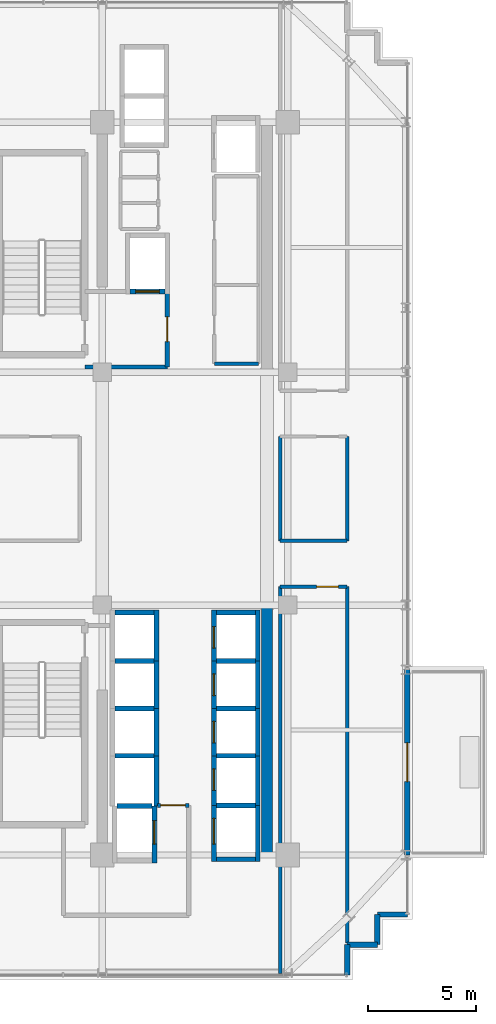
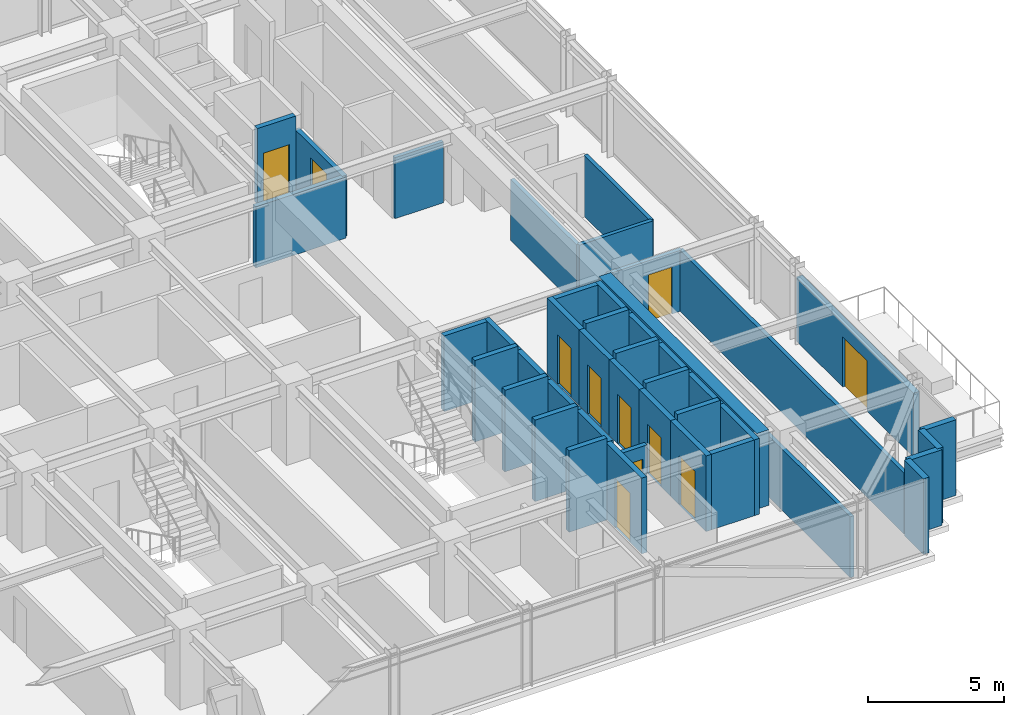
# One storey, part 23 of 29: 43 walls, 11 doors, 11 openings.
"""IFC4 building model written with IfcOpenShell, lengths in metres."""

from ifc_helpers import new_model, si_unit, direction, frame, frame_2d, origin, place, context, subcontext, project, spatial, rectangle, extrude, source, transform, mapped, material, layer, layer_set, type_object, element, fill, save


model = new_model("IFC4")

# Units and contexts
model_context = context("Model", 3, precision=1e-05, world=origin(), true_north=direction((0.0, 1.0)))
body_context = subcontext(model_context, "Body", "Model", "MODEL_VIEW")
ifc_project = project(units=[si_unit("LENGTHUNIT", "METRE"), si_unit("AREAUNIT", "SQUARE_METRE"), si_unit("VOLUMEUNIT", "CUBIC_METRE"), si_unit("PLANEANGLEUNIT", "RADIAN"), si_unit("MASSUNIT", "GRAM", prefix="KILO")], contexts=[model_context])

# Site, building, storey
site_placement = place(None, origin())
site = spatial("IfcSite", under=ifc_project, at=site_placement, CompositionType="ELEMENT")
building_placement = place(site_placement, origin())
building = spatial("IfcBuilding", under=site, at=building_placement, Name="Nahalor Promenade Grand Hotel", CompositionType="ELEMENT")
storey_placement = place(building_placement, frame((0.0, 0.0, 189.14990234375)))
storey = spatial("IfcBuildingStorey", under=building, at=storey_placement, Name="L48", CompositionType="ELEMENT", Elevation=189.14990234375)

# Walls
ifc_material_1 = material(Name="Concrete B-60 (C50/60)", Category="concrete")
ifc_layer_1 = layer(ifc_material_1, 0.5)
ifc_layer_set_1 = layer_set([ifc_layer_1], Name="Concrete B-60 (C50/60)")
wall_type_1 = type_object("IfcWallType", Name="Wall-CoreShear-500", PredefinedType="SHEAR", material=ifc_layer_set_1)
shared_shape_1 = source(origin(), body_context, "Body", "SweptSolid", [
    extrude(rectangle(XDim=11.60009765625, YDim=0.5, at=frame_2d((5.800048828125, 0.0))), origin(), (0.0, 0.0, 1.0), 3.39013671875),
])
wall_1_placement = place(storey_placement, frame((16.050048828125, -17.0, 0.0), z_axis=(0.0, 0.0, 1.0), x_axis=(0.0, 1.0, 0.0)))
element("IfcWall", 1, at=wall_1_placement, inside=storey, type_object=wall_type_1, Name="CWALL-L48-SE", PredefinedType="SHEAR", context=body_context, shape_type="MappedRepresentation", body=[
    mapped(shared_shape_1, transform((0.0, 0.0, 0.0), scale=1.0)),
])
ifc_material_2 = material(Name="Concrete B-50 (C40/50)", Category="concrete")
ifc_layer_2 = layer(ifc_material_2, 0.219970703125)
ifc_layer_set_2 = layer_set([ifc_layer_2], Name="Concrete B-50 (C40/50)")
wall_type_2 = type_object("IfcWallType", Name="Wall-LiftShaft-220", PredefinedType="SHEAR", material=ifc_layer_set_2)
shared_shape_2 = source(origin(), body_context, "Body", "SweptSolid", [
    extrude(rectangle(XDim=1.820068359375, YDim=0.219970703125, at=frame_2d((0.91015625, 0.0))), origin(), (0.0, 0.0, 1.0), 3.650146484375),
])
for number, where, z_axis, x_axis, name in (
    (2, (13.68994140625, -8.0, 0.0), (0.0, 0.0, 1.0), (1.0, 0.0, 0.0), "L48 Lift PL6 Hoistway Wall N"),
    (3, (13.68994140625, -10.199951171875, 0.0), (0.0, 0.0, 1.0), (1.0, 0.0, 0.0), "L48 Lift PL7 Hoistway Wall N"),
    (4, (13.68994140625, -12.39990234375, 0.0), (0.0, 0.0, 1.0), (1.0, 0.0, 0.0), "L48 Lift PL8 Hoistway Wall N"),
    (5, (8.989990234375, -8.0, 0.0), (0.0, 0.0, 1.0), (1.0, 0.0, 0.0), "L48 Lift PL10 Hoistway Wall N"),
    (6, (8.989990234375, -10.199951171875, 0.0), (0.0, 0.0, 1.0), (1.0, 0.0, 0.0), "L48 Lift PL11 Hoistway Wall N"),
    (7, (8.989990234375, -12.39990234375, 0.0), (0.0, 0.0, 1.0), (1.0, 0.0, 0.0), "L48 Lift PL12 Hoistway Wall N"),
    (8, (13.68994140625, -14.699951171875, 0.0), (0.0, 0.0, 1.0), (1.0, 0.0, 0.0), "L48 Lift SV2 Hoistway Wall N"),
):
    element("IfcWall", number, at=place(storey_placement, frame(where, z_axis=z_axis, x_axis=x_axis)), inside=storey, type_object=wall_type_2, Name=name, PredefinedType="SHEAR", context=body_context, shape_type="MappedRepresentation", body=[
        mapped(shared_shape_2, transform((0.0, 0.0, 0.0), scale=1.0)),
    ])

# Wall, opening, door
shared_shape_3 = source(origin(), body_context, "Body", "SweptSolid", [
    extrude(rectangle(XDim=2.360107421875, YDim=0.219970703125, at=frame_2d((1.18017578125, 0.0))), origin(), (0.0, 0.0, 1.0), 3.39013671875),
])
wall_2_placement = place(storey_placement, frame((13.580078125, -8.0, 0.0), z_axis=(0.0, 0.0, 1.0), x_axis=(0.0, 1.0, 0.0)))
wall_2 = element("IfcWall", 9, at=wall_2_placement, inside=storey, type_object=wall_type_2, Name="L48 Lift PL5 Hoistway Wall W", PredefinedType="SHEAR", context=body_context, shape_type="MappedRepresentation", body=[
    mapped(shared_shape_3, transform((0.0, 0.0, 0.0), scale=1.0)),
])
opening_1_placement = place(wall_2_placement, frame((0.60009765625, 0.0, 0.0)))
opening_1 = element("IfcOpeningElement", 10, at=opening_1_placement, cuts=wall_2, Name="Opening LD-01", PredefinedType="OPENING", context=body_context, shape_type="SweptSolid", body=[
    extrude(rectangle(XDim=1.0, YDim=2.199951171875, at=frame_2d((0.5, 1.10009765625))), frame((0.0, 0.119873046875, 0.0), z_axis=(0.0, -1.0, 0.0), x_axis=(1.0, 0.0, 0.0)), (0.0, 0.0, 1.0), 0.239990234375),
])
ifc_material_3 = material(Name="Steel S355JR", Category="steel")
door_type_1 = type_object("IfcDoorType", Name="Door-LiftLanding-1000", OperationType="DOUBLE_DOOR_SLIDING", PredefinedType="DOOR", material=ifc_material_3)
shared_shape_4 = source(origin(), body_context, "Body", "SweptSolid", [
    extrude(rectangle(XDim=1.0, YDim=2.199951171875, at=frame_2d((0.5, 1.10009765625))), frame((0.0, 0.02490234375, 0.0), z_axis=(0.0, -1.0, 0.0), x_axis=(1.0, 0.0, 0.0)), (0.0, 0.0, 1.0), 0.050048828125),
])
door_1_placement = place(opening_1_placement, origin())
door_1 = element("IfcDoor", 11, at=door_1_placement, inside=storey, type_object=door_type_1, Name="DR-LIFT-PL5-L48", OperationType="DOUBLE_DOOR_SLIDING", OverallHeight=2.199951171875, OverallWidth=1.0, PredefinedType="DOOR", context=body_context, shape_type="MappedRepresentation", body=[
    mapped(shared_shape_4, transform((0.0, 0.0, 0.0), scale=1.0)),
])
fill(opening_1, door_1)

# Walls
for number, where, z_axis, x_axis, name in (
    (12, (15.6201171875, -8.0, 0.0), (0.0, 0.0, 1.0), (0.0, 1.0, 0.0), "L48 Lift PL5 Hoistway Wall E"),
    (13, (10.919921875, -8.0, 0.0), (0.0, 0.0, 1.0), (0.0, 1.0, 0.0), "L48 Lift PL9 Hoistway Wall E"),
):
    element("IfcWall", number, at=place(storey_placement, frame(where, z_axis=z_axis, x_axis=x_axis)), inside=storey, type_object=wall_type_2, Name=name, PredefinedType="SHEAR", context=body_context, shape_type="MappedRepresentation", body=[
        mapped(shared_shape_3, transform((0.0, 0.0, 0.0), scale=1.0)),
    ])
shared_shape_5 = source(origin(), body_context, "Body", "SweptSolid", [
    extrude(rectangle(XDim=1.820068359375, YDim=0.219970703125, at=frame_2d((0.91015625, 0.0))), origin(), (0.0, 0.0, 1.0), 3.39013671875),
])
for number, where, z_axis, x_axis, name in (
    (14, (13.68994140625, -5.75, 0.0), (0.0, 0.0, 1.0), (1.0, 0.0, 0.0), "L48 Lift PL5 Hoistway Wall N"),
    (15, (8.989990234375, -5.75, 0.0), (0.0, 0.0, 1.0), (1.0, 0.0, 0.0), "L48 Lift PL9 Hoistway Wall N"),
    (16, (13.68994140625, -17.199951171875, 0.0), (0.0, 0.0, 1.0), (1.0, 0.0, 0.0), "L48 Lift SV2 Hoistway Wall S"),
):
    element("IfcWall", number, at=place(storey_placement, frame(where, z_axis=z_axis, x_axis=x_axis)), inside=storey, type_object=wall_type_2, Name=name, PredefinedType="SHEAR", context=body_context, shape_type="MappedRepresentation", body=[
        mapped(shared_shape_5, transform((0.0, 0.0, 0.0), scale=1.0)),
    ])

# Wall, opening, door
shared_shape_6 = source(origin(), body_context, "Body", "SweptSolid", [
    extrude(rectangle(XDim=2.199951171875, YDim=0.219970703125, at=frame_2d((1.10009765625, 0.0))), origin(), (0.0, 0.0, 1.0), 3.39013671875),
])
wall_3_placement = place(storey_placement, frame((13.580078125, -10.199951171875, 0.0), z_axis=(0.0, 0.0, 1.0), x_axis=(0.0, 1.0, 0.0)))
wall_3 = element("IfcWall", 17, at=wall_3_placement, inside=storey, type_object=wall_type_2, Name="L48 Lift PL6 Hoistway Wall W", PredefinedType="SHEAR", context=body_context, shape_type="MappedRepresentation", body=[
    mapped(shared_shape_6, transform((0.0, 0.0, 0.0), scale=1.0)),
])
opening_2_placement = place(wall_3_placement, frame((0.60009765625, 0.0, 0.0)))
opening_2 = element("IfcOpeningElement", 18, at=opening_2_placement, cuts=wall_3, Name="Opening LD-01", PredefinedType="OPENING", context=body_context, shape_type="SweptSolid", body=[
    extrude(rectangle(XDim=1.0, YDim=2.199951171875, at=frame_2d((0.5, 1.10009765625))), frame((0.0, 0.119873046875, 0.0), z_axis=(0.0, -1.0, 0.0), x_axis=(1.0, 0.0, 0.0)), (0.0, 0.0, 1.0), 0.239990234375),
])
door_2_placement = place(opening_2_placement, origin())
door_2 = element("IfcDoor", 19, at=door_2_placement, inside=storey, type_object=door_type_1, Name="DR-LIFT-PL6-L48", OperationType="DOUBLE_DOOR_SLIDING", OverallHeight=2.199951171875, OverallWidth=1.0, PredefinedType="DOOR", context=body_context, shape_type="MappedRepresentation", body=[
    mapped(shared_shape_4, transform((0.0, 0.0, 0.0), scale=1.0)),
])
fill(opening_2, door_2)

# Wall
wall_4_placement = place(storey_placement, frame((15.6201171875, -10.199951171875, 0.0), z_axis=(0.0, 0.0, 1.0), x_axis=(0.0, 1.0, 0.0)))
element("IfcWall", 20, at=wall_4_placement, inside=storey, type_object=wall_type_2, Name="L48 Lift PL6 Hoistway Wall E", PredefinedType="SHEAR", context=body_context, shape_type="MappedRepresentation", body=[
    mapped(shared_shape_6, transform((0.0, 0.0, 0.0), scale=1.0)),
])

# Wall, opening, door
wall_5_placement = place(storey_placement, frame((13.580078125, -12.39990234375, 0.0), z_axis=(0.0, 0.0, 1.0), x_axis=(0.0, 1.0, 0.0)))
wall_5 = element("IfcWall", 21, at=wall_5_placement, inside=storey, type_object=wall_type_2, Name="L48 Lift PL7 Hoistway Wall W", PredefinedType="SHEAR", context=body_context, shape_type="MappedRepresentation", body=[
    mapped(shared_shape_6, transform((0.0, 0.0, 0.0), scale=1.0)),
])
opening_3_placement = place(wall_5_placement, frame((0.60009765625, 0.0, 0.0)))
opening_3 = element("IfcOpeningElement", 22, at=opening_3_placement, cuts=wall_5, Name="Opening LD-01", PredefinedType="OPENING", context=body_context, shape_type="SweptSolid", body=[
    extrude(rectangle(XDim=1.0, YDim=2.199951171875, at=frame_2d((0.5, 1.10009765625))), frame((0.0, 0.119873046875, 0.0), z_axis=(0.0, -1.0, 0.0), x_axis=(1.0, 0.0, 0.0)), (0.0, 0.0, 1.0), 0.239990234375),
])
door_3_placement = place(opening_3_placement, origin())
door_3 = element("IfcDoor", 23, at=door_3_placement, inside=storey, type_object=door_type_1, Name="DR-LIFT-PL7-L48", OperationType="DOUBLE_DOOR_SLIDING", OverallHeight=2.199951171875, OverallWidth=1.0, PredefinedType="DOOR", context=body_context, shape_type="MappedRepresentation", body=[
    mapped(shared_shape_4, transform((0.0, 0.0, 0.0), scale=1.0)),
])
fill(opening_3, door_3)

# Walls
for number, where, z_axis, x_axis, name in (
    (24, (15.6201171875, -12.39990234375, 0.0), (0.0, 0.0, 1.0), (0.0, 1.0, 0.0), "L48 Lift PL7 Hoistway Wall E"),
    (25, (10.919921875, -10.199951171875, 0.0), (0.0, 0.0, 1.0), (0.0, 1.0, 0.0), "L48 Lift PL10 Hoistway Wall E"),
    (26, (10.919921875, -12.39990234375, 0.0), (0.0, 0.0, 1.0), (0.0, 1.0, 0.0), "L48 Lift PL11 Hoistway Wall E"),
):
    element("IfcWall", number, at=place(storey_placement, frame(where, z_axis=z_axis, x_axis=x_axis)), inside=storey, type_object=wall_type_2, Name=name, PredefinedType="SHEAR", context=body_context, shape_type="MappedRepresentation", body=[
        mapped(shared_shape_6, transform((0.0, 0.0, 0.0), scale=1.0)),
    ])

# Wall, opening, door
shared_shape_7 = source(origin(), body_context, "Body", "SweptSolid", [
    extrude(rectangle(XDim=2.300048828125, YDim=0.219970703125, at=frame_2d((1.14990234375, 0.0))), origin(), (0.0, 0.0, 1.0), 3.39013671875),
])
wall_6_placement = place(storey_placement, frame((13.580078125, -14.699951171875, 0.0), z_axis=(0.0, 0.0, 1.0), x_axis=(0.0, 1.0, 0.0)))
wall_6 = element("IfcWall", 27, at=wall_6_placement, inside=storey, type_object=wall_type_2, Name="L48 Lift PL8 Hoistway Wall W", PredefinedType="SHEAR", context=body_context, shape_type="MappedRepresentation", body=[
    mapped(shared_shape_7, transform((0.0, 0.0, 0.0), scale=1.0)),
])
opening_4_placement = place(wall_6_placement, frame((0.699951171875, 0.0, 0.0)))
opening_4 = element("IfcOpeningElement", 28, at=opening_4_placement, cuts=wall_6, Name="Opening LD-01", PredefinedType="OPENING", context=body_context, shape_type="SweptSolid", body=[
    extrude(rectangle(XDim=1.0, YDim=2.199951171875, at=frame_2d((0.5, 1.10009765625))), frame((0.0, 0.119873046875, 0.0), z_axis=(0.0, -1.0, 0.0), x_axis=(1.0, 0.0, 0.0)), (0.0, 0.0, 1.0), 0.239990234375),
])
door_4_placement = place(opening_4_placement, origin())
door_4 = element("IfcDoor", 29, at=door_4_placement, inside=storey, type_object=door_type_1, Name="DR-LIFT-PL8-L48", OperationType="DOUBLE_DOOR_SLIDING", OverallHeight=2.199951171875, OverallWidth=1.0, PredefinedType="DOOR", context=body_context, shape_type="MappedRepresentation", body=[
    mapped(shared_shape_4, transform((0.0, 0.0, 0.0), scale=1.0)),
])
fill(opening_4, door_4)

# Walls
wall_7_placement = place(storey_placement, frame((15.6201171875, -14.699951171875, 0.0), z_axis=(0.0, 0.0, 1.0), x_axis=(0.0, 1.0, 0.0)))
element("IfcWall", 30, at=wall_7_placement, inside=storey, type_object=wall_type_2, Name="L48 Lift PL8 Hoistway Wall E", PredefinedType="SHEAR", context=body_context, shape_type="MappedRepresentation", body=[
    mapped(shared_shape_7, transform((0.0, 0.0, 0.0), scale=1.0)),
])
shared_shape_8 = source(origin(), body_context, "Body", "SweptSolid", [
    extrude(rectangle(XDim=2.3251953125, YDim=0.219970703125, at=frame_2d((1.16259765625, 0.0))), origin(), (0.0, 0.0, 1.0), 3.39013671875),
])
wall_8_placement = place(storey_placement, frame((10.919921875, -14.72509765625, 0.0), z_axis=(0.0, 0.0, 1.0), x_axis=(0.0, 1.0, 0.0)))
element("IfcWall", 31, at=wall_8_placement, inside=storey, type_object=wall_type_2, Name="L48 Lift PL12 Hoistway Wall E", PredefinedType="SHEAR", context=body_context, shape_type="MappedRepresentation", body=[
    mapped(shared_shape_8, transform((0.0, 0.0, 0.0), scale=1.0)),
])

# Wall, opening, door
shared_shape_9 = source(origin(), body_context, "Body", "SweptSolid", [
    extrude(rectangle(XDim=1.6201171875, YDim=0.219970703125, at=frame_2d((0.81005859375, 0.0))), origin(), (0.0, 0.0, 1.0), 3.39013671875),
])
wall_9_placement = place(storey_placement, frame((9.68994140625, 9.14990234375, 0.0), z_axis=(0.0, 0.0, 1.0), x_axis=(1.0, 0.0, 0.0)))
wall_9 = element("IfcWall", 32, at=wall_9_placement, inside=storey, type_object=wall_type_2, Name="L48 Lift FL1 Hoistway Wall S", PredefinedType="SHEAR", context=body_context, shape_type="MappedRepresentation", body=[
    mapped(shared_shape_9, transform((0.0, 0.0, 0.0), scale=1.0)),
])
opening_5_placement = place(wall_9_placement, frame((0.260009765625, 0.0, 0.0)))
opening_5 = element("IfcOpeningElement", 33, at=opening_5_placement, cuts=wall_9, Name="Opening LD-02", PredefinedType="OPENING", context=body_context, shape_type="SweptSolid", body=[
    extrude(rectangle(XDim=1.10009765625, YDim=2.199951171875, at=frame_2d((0.550048828125, 1.10009765625))), frame((0.0, 0.119873046875, 0.0), z_axis=(0.0, -1.0, 0.0), x_axis=(1.0, 0.0, 0.0)), (0.0, 0.0, 1.0), 0.239990234375),
])
door_type_2 = type_object("IfcDoorType", Name="Door-LiftFF-1100", OperationType="DOUBLE_DOOR_SLIDING", PredefinedType="DOOR", material=ifc_material_3)
shared_shape_10 = source(origin(), body_context, "Body", "SweptSolid", [
    extrude(rectangle(XDim=1.10009765625, YDim=2.199951171875, at=frame_2d((0.550048828125, 1.10009765625))), frame((0.0, 0.02490234375, 0.0), z_axis=(0.0, -1.0, 0.0), x_axis=(1.0, 0.0, 0.0)), (0.0, 0.0, 1.0), 0.050048828125),
])
door_5_placement = place(opening_5_placement, frame((1.10009765625, 0.0, 0.0), z_axis=(0.0, 0.0, 1.0), x_axis=(-1.0, 0.0, 0.0)))
door_5 = element("IfcDoor", 34, at=door_5_placement, inside=storey, type_object=door_type_2, Name="DR-LIFT-FL1-L48", OperationType="DOUBLE_DOOR_SLIDING", OverallHeight=2.199951171875, OverallWidth=1.10009765625, PredefinedType="DOOR", context=body_context, shape_type="MappedRepresentation", body=[
    mapped(shared_shape_10, transform((0.0, 0.0, 0.0), scale=1.0)),
])
fill(opening_5, door_5)

# Wall
shared_shape_11 = source(origin(), body_context, "Body", "SweptSolid", [
    extrude(rectangle(XDim=1.619873046875, YDim=0.219970703125, at=frame_2d((0.81005859375, 0.0))), origin(), (0.0, 0.0, 1.0), 3.650146484375),
])
wall_10_placement = place(storey_placement, frame((9.090087890625, -14.72509765625, 0.0), z_axis=(0.0, 0.0, 1.0), x_axis=(1.0, 0.0, 0.0)))
element("IfcWall", 35, at=wall_10_placement, inside=storey, type_object=wall_type_2, Name="L48 Lift FL2 Hoistway Wall N", PredefinedType="SHEAR", context=body_context, shape_type="MappedRepresentation", body=[
    mapped(shared_shape_11, transform((0.0, 0.0, 0.0), scale=1.0)),
])

# Wall, opening, door
shared_shape_12 = source(origin(), body_context, "Body", "SweptSolid", [
    extrude(rectangle(XDim=2.635009765625, YDim=0.219970703125, at=frame_2d((1.3173828125, 0.0))), origin(), (0.0, 0.0, 1.0), 3.39013671875),
])
wall_11_placement = place(storey_placement, frame((10.820068359375, -17.360107421875, 0.0), z_axis=(0.0, 0.0, 1.0), x_axis=(0.0, 1.0, 0.0)))
wall_11 = element("IfcWall", 36, at=wall_11_placement, inside=storey, type_object=wall_type_2, Name="L48 Lift FL2 Hoistway Wall E", PredefinedType="SHEAR", context=body_context, shape_type="MappedRepresentation", body=[
    mapped(shared_shape_12, transform((0.0, 0.0, 0.0), scale=1.0)),
])
opening_6_placement = place(wall_11_placement, frame((0.860107421875, 0.0, 0.0)))
opening_6 = element("IfcOpeningElement", 37, at=opening_6_placement, cuts=wall_11, Name="Opening LD-02", PredefinedType="OPENING", context=body_context, shape_type="SweptSolid", body=[
    extrude(rectangle(XDim=1.10009765625, YDim=2.199951171875, at=frame_2d((0.550048828125, 1.10009765625))), frame((0.0, 0.119873046875, 0.0), z_axis=(0.0, -1.0, 0.0), x_axis=(1.0, 0.0, 0.0)), (0.0, 0.0, 1.0), 0.239990234375),
])
door_6_placement = place(opening_6_placement, frame((1.10009765625, 0.0, 0.0), z_axis=(0.0, 0.0, 1.0), x_axis=(-1.0, 0.0, 0.0)))
door_6 = element("IfcDoor", 38, at=door_6_placement, inside=storey, type_object=door_type_2, Name="DR-LIFT-FL2-L48", OperationType="DOUBLE_DOOR_SLIDING", OverallHeight=2.199951171875, OverallWidth=1.10009765625, PredefinedType="DOOR", context=body_context, shape_type="MappedRepresentation", body=[
    mapped(shared_shape_10, transform((0.0, 0.0, 0.0), scale=1.0)),
])
fill(opening_6, door_6)

shared_shape_13 = source(origin(), body_context, "Body", "SweptSolid", [
    extrude(rectangle(XDim=2.610107421875, YDim=0.219970703125, at=frame_2d((1.30517578125, 0.0))), origin(), (0.0, 0.0, 1.0), 3.39013671875),
])
wall_12_placement = place(storey_placement, frame((13.580078125, -17.31005859375, 0.0), z_axis=(0.0, 0.0, 1.0), x_axis=(0.0, 1.0, 0.0)))
wall_12 = element("IfcWall", 39, at=wall_12_placement, inside=storey, type_object=wall_type_2, Name="L48 Lift SV2 Hoistway Wall W", PredefinedType="SHEAR", context=body_context, shape_type="MappedRepresentation", body=[
    mapped(shared_shape_13, transform((0.0, 0.0, 0.0), scale=1.0)),
])
opening_7_placement = place(wall_12_placement, frame((0.81005859375, 0.0, 0.0)))
opening_7 = element("IfcOpeningElement", 40, at=opening_7_placement, cuts=wall_12, Name="Opening LD-03", PredefinedType="OPENING", context=body_context, shape_type="SweptSolid", body=[
    extrude(rectangle(XDim=1.199951171875, YDim=2.199951171875, at=frame_2d((0.60009765625, 1.10009765625))), frame((0.0, 0.119873046875, 0.0), z_axis=(0.0, -1.0, 0.0), x_axis=(1.0, 0.0, 0.0)), (0.0, 0.0, 1.0), 0.239990234375),
])
door_type_3 = type_object("IfcDoorType", Name="Door-LiftService-1200", OperationType="DOUBLE_DOOR_SLIDING", PredefinedType="DOOR", material=ifc_material_3)
shared_shape_14 = source(origin(), body_context, "Body", "SweptSolid", [
    extrude(rectangle(XDim=1.199951171875, YDim=2.199951171875, at=frame_2d((0.60009765625, 1.10009765625))), frame((0.0, 0.02490234375, 0.0), z_axis=(0.0, -1.0, 0.0), x_axis=(1.0, 0.0, 0.0)), (0.0, 0.0, 1.0), 0.050048828125),
])
door_7_placement = place(opening_7_placement, origin())
door_7 = element("IfcDoor", 41, at=door_7_placement, inside=storey, type_object=door_type_3, Name="DR-LIFT-SV2-L48", OperationType="DOUBLE_DOOR_SLIDING", OverallHeight=2.199951171875, OverallWidth=1.199951171875, PredefinedType="DOOR", context=body_context, shape_type="MappedRepresentation", body=[
    mapped(shared_shape_14, transform((0.0, 0.0, 0.0), scale=1.0)),
])
fill(opening_7, door_7)

# Wall
wall_13_placement = place(storey_placement, frame((15.6201171875, -17.31005859375, 0.0), z_axis=(0.0, 0.0, 1.0), x_axis=(0.0, 1.0, 0.0)))
element("IfcWall", 42, at=wall_13_placement, inside=storey, type_object=wall_type_2, Name="L48 Lift SV2 Hoistway Wall E", PredefinedType="SHEAR", context=body_context, shape_type="MappedRepresentation", body=[
    mapped(shared_shape_13, transform((0.0, 0.0, 0.0), scale=1.0)),
])

# Wall, opening, door
ifc_material_4 = material(Name="Concrete B-40 (C32/40)", Category="concrete")
ifc_layer_3 = layer(ifc_material_4, 0.260009765625)
ifc_layer_set_3 = layer_set([ifc_layer_3], Name="Concrete B-40 (C32/40)")
wall_type_3 = type_object("IfcWallType", Name="Wall-BalconyWall-260", PredefinedType="STANDARD", material=ifc_layer_set_3)
shared_shape_15 = source(origin(), body_context, "Body", "SweptSolid", [
    extrude(rectangle(XDim=8.60009765625, YDim=0.260009765625, at=frame_2d((4.300048828125, 0.0))), origin(), (0.0, 0.0, 1.0), 2.8701171875),
])
wall_14_placement = place(storey_placement, frame((22.56005859375, -17.0, 0.0), z_axis=(0.0, 0.0, 1.0), x_axis=(0.0, 1.0, 0.0)))
wall_14 = element("IfcWall", 43, at=wall_14_placement, inside=storey, type_object=wall_type_3, Name="W-L48-BALC-E-2", PredefinedType="STANDARD", context=body_context, shape_type="MappedRepresentation", body=[
    mapped(shared_shape_15, transform((0.0, 0.0, 0.0), scale=1.0)),
])
opening_8_placement = place(wall_14_placement, frame((3.39990234375, 0.0, 0.0)))
opening_8 = element("IfcOpeningElement", 44, at=opening_8_placement, cuts=wall_14, Name="Opening D-BC1", PredefinedType="OPENING", context=body_context, shape_type="SweptSolid", body=[
    extrude(rectangle(XDim=1.800048828125, YDim=2.25, at=frame_2d((0.89990234375, 1.125))), frame((0.0, 0.139892578125, 0.0), z_axis=(0.0, -1.0, 0.0), x_axis=(1.0, 0.0, 0.0)), (0.0, 0.0, 1.0), 0.280029296875),
])
ifc_material_5 = material(Name="Anodised Bronze Aluminium EN AW-6063 T6", Category="aluminium")
door_type_4 = type_object("IfcDoorType", Name="Door-BalconySlide-1800", OperationType="DOUBLE_DOOR_SLIDING", PredefinedType="DOOR", material=ifc_material_5)
shared_shape_16 = source(origin(), body_context, "Body", "SweptSolid", [
    extrude(rectangle(XDim=1.800048828125, YDim=2.25, at=frame_2d((0.89990234375, 1.125))), frame((0.0, 0.02490234375, 0.0), z_axis=(0.0, -1.0, 0.0), x_axis=(1.0, 0.0, 0.0)), (0.0, 0.0, 1.0), 0.050048828125),
])
door_8_placement = place(opening_8_placement, frame((1.800048828125, 0.0, 0.0), z_axis=(0.0, 0.0, 1.0), x_axis=(-1.0, 0.0, 0.0)))
door_8 = element("IfcDoor", 45, at=door_8_placement, inside=storey, type_object=door_type_4, Name="DR-L48-BALC-E-2", OperationType="DOUBLE_DOOR_SLIDING", OverallHeight=2.25, OverallWidth=1.800048828125, PredefinedType="DOOR", context=body_context, shape_type="MappedRepresentation", body=[
    mapped(shared_shape_16, transform((0.0, 0.0, 0.0), scale=1.0)),
])
fill(opening_8, door_8)

# Walls
ifc_layer_4 = layer(ifc_material_4, 0.25)
ifc_layer_set_4 = layer_set([ifc_layer_4], Name="Concrete B-40 (C32/40)")
wall_type_4 = type_object("IfcWallType", Name="Wall-BronzePier-250", PredefinedType="STANDARD", material=ifc_layer_set_4)
shared_shape_17 = source(origin(), body_context, "Body", "SweptSolid", [
    extrude(rectangle(XDim=1.400146484375, YDim=0.25, at=frame_2d((0.7001953125, 0.0))), origin(), (0.0, 0.0, 1.0), 3.39013671875),
])
for number, where, z_axis, x_axis, name in (
    (46, (19.760009765625, -22.56005859375, 0.0), (0.0, 0.0, 1.0), (0.0, 1.0, 0.0), "W-L48-SR-01"),
    (47, (21.159912109375, -19.760009765625, 0.0), (0.0, 0.0, 1.0), (1.0, 0.0, 0.0), "W-L48-SR-04"),
):
    element("IfcWall", number, at=place(storey_placement, frame(where, z_axis=z_axis, x_axis=x_axis)), inside=storey, type_object=wall_type_4, Name=name, PredefinedType="STANDARD", context=body_context, shape_type="MappedRepresentation", body=[
        mapped(shared_shape_17, transform((0.0, 0.0, 0.0), scale=1.0)),
    ])
shared_shape_18 = source(origin(), body_context, "Body", "SweptSolid", [
    extrude(rectangle(XDim=1.39990234375, YDim=0.25, at=frame_2d((0.699951171875, 0.0))), origin(), (0.0, 0.0, 1.0), 3.39013671875),
])
for number, where, z_axis, x_axis, name in (
    (48, (19.760009765625, -21.159912109375, 0.0), (0.0, 0.0, 1.0), (1.0, 0.0, 0.0), "W-L48-SR-02"),
    (49, (21.159912109375, -21.159912109375, 0.0), (0.0, 0.0, 1.0), (0.0, 1.0, 0.0), "W-L48-SR-03"),
):
    element("IfcWall", number, at=place(storey_placement, frame(where, z_axis=z_axis, x_axis=x_axis)), inside=storey, type_object=wall_type_4, Name=name, PredefinedType="STANDARD", context=body_context, shape_type="MappedRepresentation", body=[
        mapped(shared_shape_18, transform((0.0, 0.0, 0.0), scale=1.0)),
    ])
ifc_layer_5 = layer(ifc_material_4, 0.199951171875)
ifc_layer_set_5 = layer_set([ifc_layer_5], Name="Concrete B-40 (C32/40)")
wall_type_5 = type_object("IfcWallType", Name="Wall-PartFire-200", PredefinedType="PARTITIONING", material=ifc_layer_set_5)
shared_shape_19 = source(origin(), body_context, "Body", "SweptSolid", [
    extrude(rectangle(XDim=3.81982421875, YDim=0.199951171875, at=frame_2d((1.909912109375, 0.0))), origin(), (0.0, 0.0, 1.0), 2.72998046875),
])
wall_15_placement = place(storey_placement, frame((7.60009765625, 5.64990234375, 0.0), z_axis=(0.0, 0.0, 1.0), x_axis=(1.0, 0.0, 0.0)))
element("IfcWall", 50, at=wall_15_placement, inside=storey, type_object=wall_type_5, Name="W-L48-FF1-S", PredefinedType="PARTITIONING", context=body_context, shape_type="MappedRepresentation", body=[
    mapped(shared_shape_19, transform((0.0, 0.0, 0.0), scale=1.0)),
])

# Wall, opening, door
shared_shape_20 = source(origin(), body_context, "Body", "SweptSolid", [
    extrude(rectangle(XDim=3.5, YDim=0.199951171875, at=frame_2d((1.75, 0.0))), origin(), (0.0, 0.0, 1.0), 2.72998046875),
])
wall_16_placement = place(storey_placement, frame((11.419921875, 5.64990234375, 0.0), z_axis=(0.0, 0.0, 1.0), x_axis=(0.0, 1.0, 0.0)))
wall_16 = element("IfcWall", 51, at=wall_16_placement, inside=storey, type_object=wall_type_5, Name="W-L48-FF1-E", PredefinedType="PARTITIONING", context=body_context, shape_type="MappedRepresentation", body=[
    mapped(shared_shape_20, transform((0.0, 0.0, 0.0), scale=1.0)),
])
opening_9_placement = place(wall_16_placement, frame((1.175048828125, 0.0, 0.0)))
opening_9 = element("IfcOpeningElement", 52, at=opening_9_placement, cuts=wall_16, Name="Opening D-FF1", PredefinedType="OPENING", context=body_context, shape_type="SweptSolid", body=[
    extrude(rectangle(XDim=1.14990234375, YDim=2.14990234375, at=frame_2d((0.574951171875, 1.074951171875))), frame((0.0, 0.10986328125, 0.0), z_axis=(0.0, -1.0, 0.0), x_axis=(1.0, 0.0, 0.0)), (0.0, 0.0, 1.0), 0.219970703125),
])
door_type_5 = type_object("IfcDoorType", Name="Door-FFLobby-1150", OperationType="NOTDEFINED", PredefinedType="DOOR", material=ifc_material_3)
shared_shape_21 = source(origin(), body_context, "Body", "SweptSolid", [
    extrude(rectangle(XDim=1.14990234375, YDim=2.14990234375, at=frame_2d((0.574951171875, 1.074951171875))), frame((0.0, 0.02490234375, 0.0), z_axis=(0.0, -1.0, 0.0), x_axis=(1.0, 0.0, 0.0)), (0.0, 0.0, 1.0), 0.050048828125),
])
door_9_placement = place(opening_9_placement, frame((1.14990234375, 0.0, 0.0), z_axis=(0.0, 0.0, 1.0), x_axis=(-1.0, 0.0, 0.0)))
door_9 = element("IfcDoor", 53, at=door_9_placement, inside=storey, type_object=door_type_5, Name="DR-L48-FFL1", OperationType="SINGLE_SWING_LEFT", OverallHeight=2.14990234375, OverallWidth=1.14990234375, PredefinedType="DOOR", context=body_context, shape_type="MappedRepresentation", body=[
    mapped(shared_shape_21, transform((0.0, 0.0, 0.0), scale=1.0)),
])
fill(opening_9, door_9)

shared_shape_22 = source(origin(), body_context, "Body", "SweptSolid", [
    extrude(rectangle(XDim=1.4599609375, YDim=0.199951171875, at=frame_2d((0.72998046875, 0.0))), origin(), (0.0, 0.0, 1.0), 2.72998046875),
])
wall_17_placement = place(storey_placement, frame((10.9599609375, -14.699951171875, 0.0), z_axis=(0.0, 0.0, 1.0), x_axis=(1.0, 0.0, 0.0)))
wall_17 = element("IfcWall", 54, at=wall_17_placement, inside=storey, type_object=wall_type_5, Name="W-L48-FF2-N1", PredefinedType="PARTITIONING", context=body_context, shape_type="MappedRepresentation", body=[
    mapped(shared_shape_22, transform((0.0, 0.0, 0.0), scale=1.0)),
])
opening_10_placement = place(wall_17_placement, frame((0.14501953125, 0.0, 0.0)))
opening_10 = element("IfcOpeningElement", 55, at=opening_10_placement, cuts=wall_17, Name="Opening D-FF1", PredefinedType="OPENING", context=body_context, shape_type="SweptSolid", body=[
    extrude(rectangle(XDim=1.14990234375, YDim=2.14990234375, at=frame_2d((0.574951171875, 1.074951171875))), frame((0.0, 0.10986328125, 0.0), z_axis=(0.0, -1.0, 0.0), x_axis=(1.0, 0.0, 0.0)), (0.0, 0.0, 1.0), 0.219970703125),
])
door_10_placement = place(opening_10_placement, origin())
door_10 = element("IfcDoor", 56, at=door_10_placement, inside=storey, type_object=door_type_5, Name="DR-L48-FFL2", OperationType="SINGLE_SWING_RIGHT", OverallHeight=2.14990234375, OverallWidth=1.14990234375, PredefinedType="DOOR", context=body_context, shape_type="MappedRepresentation", body=[
    mapped(shared_shape_21, transform((0.0, 0.0, 0.0), scale=1.0)),
])
fill(opening_10, door_10)

# Wall
ifc_material_6 = material(Name="Acoustic Mineral Gypsum", Category="gypsum")
ifc_layer_6 = layer(ifc_material_6, 0.159912109375)
ifc_layer_set_6 = layer_set([ifc_layer_6], Name="Acoustic Mineral Gypsum")
wall_type_6 = type_object("IfcWallType", Name="Wall-PartCorridor-160", PredefinedType="PARTITIONING", material=ifc_layer_set_6)
shared_shape_23 = source(origin(), body_context, "Body", "SweptSolid", [
    extrude(rectangle(XDim=2.0498046875, YDim=0.159912109375, at=frame_2d((1.02490234375, 0.0))), origin(), (0.0, 0.0, 1.0), 2.72998046875),
])
wall_18_placement = place(storey_placement, frame((13.60009765625, 5.800048828125, 0.0), z_axis=(0.0, 0.0, 1.0), x_axis=(1.0, 0.0, 0.0)))
element("IfcWall", 57, at=wall_18_placement, inside=storey, type_object=wall_type_6, Name="W-L48-FRB1A-S", PredefinedType="PARTITIONING", context=body_context, shape_type="MappedRepresentation", body=[
    mapped(shared_shape_23, transform((0.0, 0.0, 0.0), scale=1.0)),
])

# Wall, opening, door
shared_shape_24 = source(origin(), body_context, "Body", "SweptSolid", [
    extrude(rectangle(XDim=3.110107421875, YDim=0.159912109375, at=frame_2d((1.55517578125, 0.0))), origin(), (0.0, 0.0, 1.0), 2.72998046875),
])
wall_19_placement = place(storey_placement, frame((16.64990234375, -4.550048828125, 0.0), z_axis=(0.0, 0.0, 1.0), x_axis=(1.0, 0.0, 0.0)))
wall_19 = element("IfcWall", 58, at=wall_19_placement, inside=storey, type_object=wall_type_6, Name="W-L48-ESE-N", PredefinedType="PARTITIONING", context=body_context, shape_type="MappedRepresentation", body=[
    mapped(shared_shape_24, transform((0.0, 0.0, 0.0), scale=1.0)),
])
opening_11_placement = place(wall_19_placement, frame((1.700927734375, 0.0, 0.0)))
opening_11 = element("IfcOpeningElement", 59, at=opening_11_placement, cuts=wall_19, Name="Opening D-04", PredefinedType="OPENING", context=body_context, shape_type="SweptSolid", body=[
    extrude(rectangle(XDim=1.0, YDim=2.10009765625, at=frame_2d((0.5, 1.050048828125))), frame((0.0, 0.08984375, 0.0), z_axis=(0.0, -1.0, 0.0), x_axis=(1.0, 0.0, 0.0)), (0.0, 0.0, 1.0), 0.179931640625),
])
door_type_6 = type_object("IfcDoorType", Name="Door-ServiceFire-1000", OperationType="NOTDEFINED", PredefinedType="DOOR", material=ifc_material_3)
shared_shape_25 = source(origin(), body_context, "Body", "SweptSolid", [
    extrude(rectangle(XDim=1.0, YDim=2.10009765625, at=frame_2d((0.5, 1.050048828125))), frame((0.0, 0.02490234375, 0.0), z_axis=(0.0, -1.0, 0.0), x_axis=(1.0, 0.0, 0.0)), (0.0, 0.0, 1.0), 0.050048828125),
])
door_11_placement = place(opening_11_placement, frame((1.0, 0.0, 0.0), z_axis=(0.0, 0.0, 1.0), x_axis=(-1.0, 0.0, 0.0)))
door_11 = element("IfcDoor", 60, at=door_11_placement, inside=storey, type_object=door_type_6, Name="DR-L48-ESE", OperationType="SINGLE_SWING_LEFT", OverallHeight=2.10009765625, OverallWidth=1.0, PredefinedType="DOOR", context=body_context, shape_type="MappedRepresentation", body=[
    mapped(shared_shape_25, transform((0.0, 0.0, 0.0), scale=1.0)),
])
fill(opening_11, door_11)

# Walls
wall_20_placement = place(storey_placement, frame((16.64990234375, -2.419921875, 0.0), z_axis=(0.0, 0.0, 1.0), x_axis=(1.0, 0.0, 0.0)))
element("IfcWall", 61, at=wall_20_placement, inside=storey, type_object=wall_type_6, Name="W-L48-ECW-S", PredefinedType="PARTITIONING", context=body_context, shape_type="MappedRepresentation", body=[
    mapped(shared_shape_24, transform((0.0, 0.0, 0.0), scale=1.0)),
])
shared_shape_26 = source(origin(), body_context, "Body", "SweptSolid", [
    extrude(rectangle(XDim=17.949951171875, YDim=0.159912109375, at=frame_2d((8.97509765625, 0.0))), origin(), (0.0, 0.0, 1.0), 2.72998046875),
])
wall_21_placement = place(storey_placement, frame((16.64990234375, -22.5, 0.0), z_axis=(0.0, 0.0, 1.0), x_axis=(0.0, 1.0, 0.0)))
element("IfcWall", 62, at=wall_21_placement, inside=storey, type_object=wall_type_6, Name="W-L48-ESE-W", PredefinedType="PARTITIONING", context=body_context, shape_type="MappedRepresentation", body=[
    mapped(shared_shape_26, transform((0.0, 0.0, 0.0), scale=1.0)),
])
shared_shape_27 = source(origin(), body_context, "Body", "SweptSolid", [
    extrude(rectangle(XDim=16.530029296875, YDim=0.159912109375, at=frame_2d((8.26513671875, 0.0))), origin(), (0.0, 0.0, 1.0), 2.72998046875),
])
wall_22_placement = place(storey_placement, frame((19.760009765625, -21.080078125, 0.0), z_axis=(0.0, 0.0, 1.0), x_axis=(0.0, 1.0, 0.0)))
element("IfcWall", 63, at=wall_22_placement, inside=storey, type_object=wall_type_6, Name="W-L48-ESE-E", PredefinedType="PARTITIONING", context=body_context, shape_type="MappedRepresentation", body=[
    mapped(shared_shape_27, transform((0.0, 0.0, 0.0), scale=1.0)),
])
shared_shape_28 = source(origin(), body_context, "Body", "SweptSolid", [
    extrude(rectangle(XDim=4.83984375, YDim=0.159912109375, at=frame_2d((2.419921875, 0.0))), origin(), (0.0, 0.0, 1.0), 2.72998046875),
])
for number, where, z_axis, x_axis, name in (
    (64, (16.64990234375, -2.419921875, 0.0), (0.0, 0.0, 1.0), (0.0, 1.0, 0.0), "W-L48-ECW-W"),
    (65, (19.760009765625, -2.419921875, 0.0), (0.0, 0.0, 1.0), (0.0, 1.0, 0.0), "W-L48-ECW-E"),
):
    element("IfcWall", number, at=place(storey_placement, frame(where, z_axis=z_axis, x_axis=x_axis)), inside=storey, type_object=wall_type_6, Name=name, PredefinedType="PARTITIONING", context=body_context, shape_type="MappedRepresentation", body=[
        mapped(shared_shape_28, transform((0.0, 0.0, 0.0), scale=1.0)),
    ])

save(model, "model.ifc")
